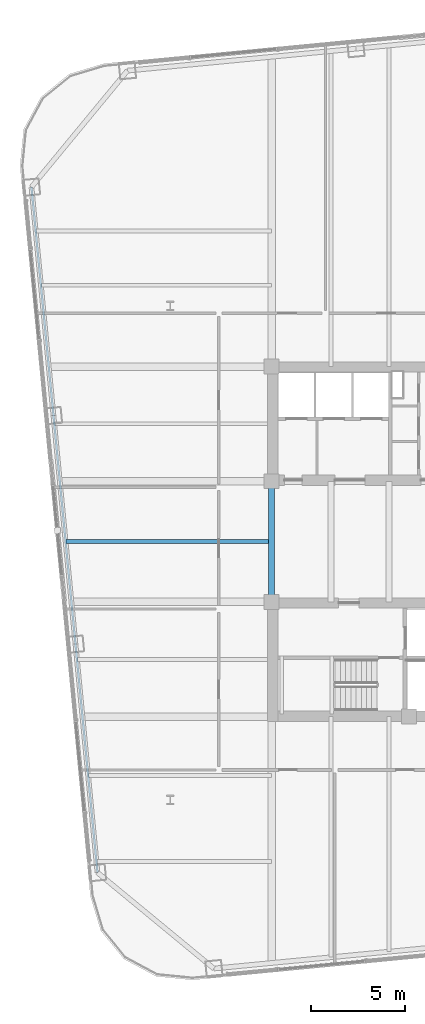
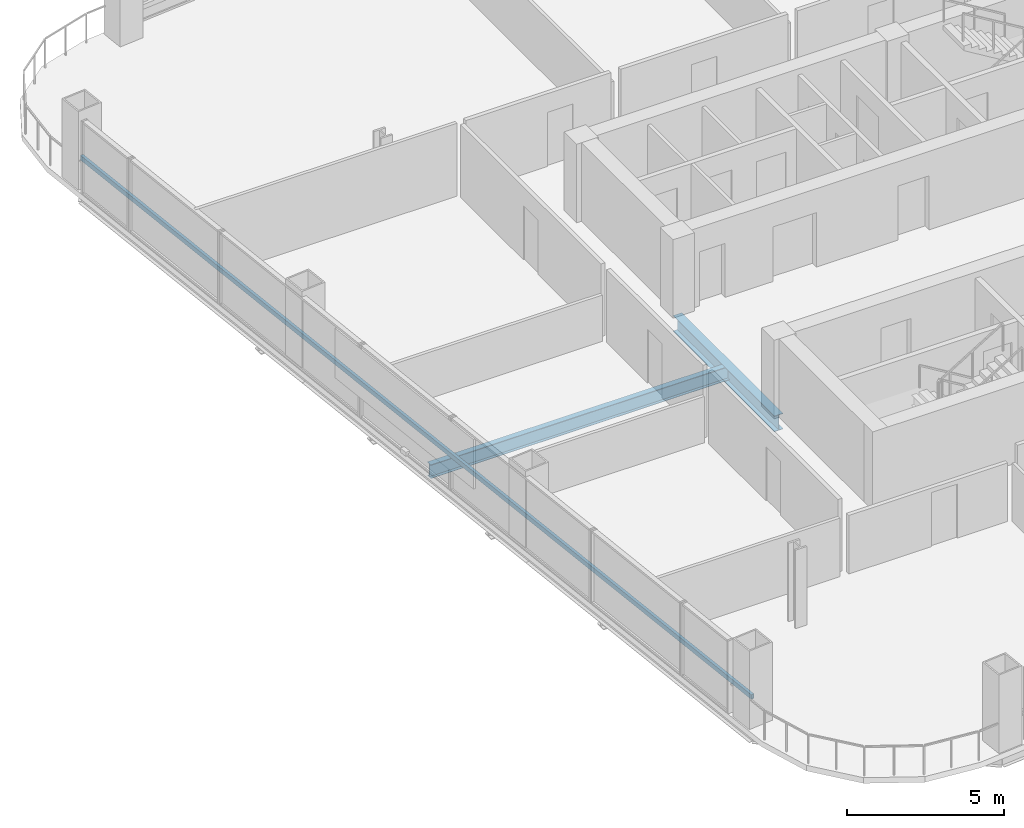
# One storey, part 8 of 32: 2 beams, 1 member.
"""IFC4 building model written with IfcOpenShell, lengths in metres."""

from ifc_helpers import new_model, si_unit, direction, frame, origin, origin_2d, place, context, subcontext, project, spatial, hollow_rectangle, i_section, extrude, material, material_profile, profile_set, type_object, element, save


model = new_model("IFC4")

# Units and contexts
model_context = context("Model", 3, precision=1e-05, world=origin(), true_north=direction((0.0, 1.0)))
body_context = subcontext(model_context, "Body", "Model", "MODEL_VIEW")
ifc_project = project(units=[si_unit("LENGTHUNIT", "METRE"), si_unit("AREAUNIT", "SQUARE_METRE"), si_unit("VOLUMEUNIT", "CUBIC_METRE"), si_unit("PLANEANGLEUNIT", "RADIAN"), si_unit("MASSUNIT", "GRAM", prefix="KILO")], contexts=[model_context])

# Site, building, storey
site_placement = place(None, origin())
site = spatial("IfcSite", under=ifc_project, at=site_placement, CompositionType="ELEMENT")
building_placement = place(site_placement, origin())
building = spatial("IfcBuilding", under=site, at=building_placement, Name="Qhalaya Broadcast Tower", CompositionType="ELEMENT")
storey_placement = place(building_placement, frame((0.0, 0.0, 87.75)))
storey = spatial("IfcBuildingStorey", under=building, at=storey_placement, Name="L25", CompositionType="ELEMENT", Elevation=87.75)

# Beams
ifc_material_1 = material(Name="Structural Steel ASTM A992 Grade 50", Category="steel")
ifc_material_profile_1 = material_profile(ifc_material_1, i_section(OverallWidth=0.2099609375, OverallDepth=0.535888671875, WebThickness=0.010986328125, FlangeThickness=0.017333984375, at=origin_2d()), Name="W21X68")
ifc_profile_set_1 = profile_set([ifc_material_profile_1], Name="Structural Steel ASTM A992 Grade 50")
beam_type_1 = type_object("IfcBeamType", Name="Composite Floor Joist J02", PredefinedType="JOIST", material=ifc_profile_set_1)
beam_1_placement = place(storey_placement, frame((-20.368408203125, 0.60009765625, -0.488037109375), z_axis=(1.0, 0.0, 0.0), x_axis=(0.0, 1.0, 0.0)))
element("IfcBeam", 1, at=beam_1_placement, inside=storey, type_object=beam_type_1, Name="L25 J02 L25-JWE4W-1", PredefinedType="JOIST", context=body_context, shape_type="SweptSolid", body=[
    extrude(i_section(OverallWidth=0.2099609375, OverallDepth=0.535888671875, WebThickness=0.010986328125, FlangeThickness=0.017333984375, at=origin_2d()), origin(), (0.0, 0.0, 1.0), 10.993408203125),
])
ifc_material_profile_2 = material_profile(ifc_material_1, i_section(OverallWidth=0.323974609375, OverallDepth=0.612060546875, WebThickness=0.0126953125, FlangeThickness=0.01904296875, at=origin_2d()), Name="W24X104")
ifc_profile_set_2 = profile_set([ifc_material_profile_2], Name="Structural Steel ASTM A992 Grade 50")
beam_type_2 = type_object("IfcBeamType", Name="Core Frame Tie Beam B04", PredefinedType="BEAM", material=ifc_profile_set_2)
beam_2_placement = place(storey_placement, frame((-9.375, -2.625, -0.52587890625), z_axis=(0.0, 1.0, 0.0), x_axis=(-1.0, 0.0, 0.0)))
element("IfcBeam", 2, at=beam_2_placement, inside=storey, type_object=beam_type_2, Name="L25 B04 L25-CCW", PredefinedType="BEAM", context=body_context, shape_type="SweptSolid", body=[
    extrude(i_section(OverallWidth=0.323974609375, OverallDepth=0.612060546875, WebThickness=0.0126953125, FlangeThickness=0.01904296875, at=origin_2d()), origin(), (0.0, 0.0, 1.0), 6.449951171875),
])

# Member
ifc_material_2 = material(Name="Fired Architectural Terracotta", Category="masonry")
ifc_material_profile_3 = material_profile(ifc_material_2, hollow_rectangle(XDim=0.110107421875, YDim=0.179931640625, WallThickness=0.01806640625, at=origin_2d()), Name="TB-BAG 110x180x18")
ifc_profile_set_3 = profile_set([ifc_material_profile_3], Name="Fired Architectural Terracotta")
member_type = type_object("IfcMemberType", Name="Fired Terracotta Facade Baguette Member TB1", PredefinedType="USERDEFINED", material=ifc_profile_set_3)
member_placement = place(storey_placement, frame((-22.212646484375, 19.54541015625, 0.84912109375), z_axis=(0.095845013007, -0.995396269574, 0.0), x_axis=(0.995396269574, 0.095845013007, 0.0)))
element("IfcMember", 3, at=member_placement, inside=storey, type_object=member_type, Name="L25 Terracotta Baguette Feature Rail W", ObjectType="BAGUETTE", PredefinedType="USERDEFINED", context=body_context, shape_type="SweptSolid", body=[
    extrude(hollow_rectangle(XDim=0.110107421875, YDim=0.179931640625, WallThickness=0.01806640625, at=origin_2d()), origin(), (0.0, 0.0, 1.0), 36.800048828125),
])

save(model, "model.ifc")
